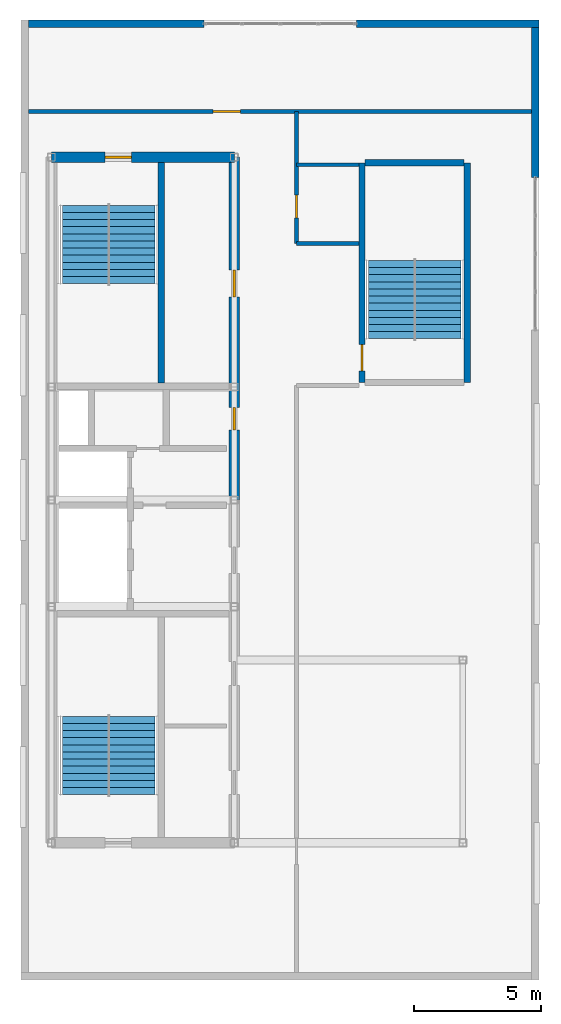
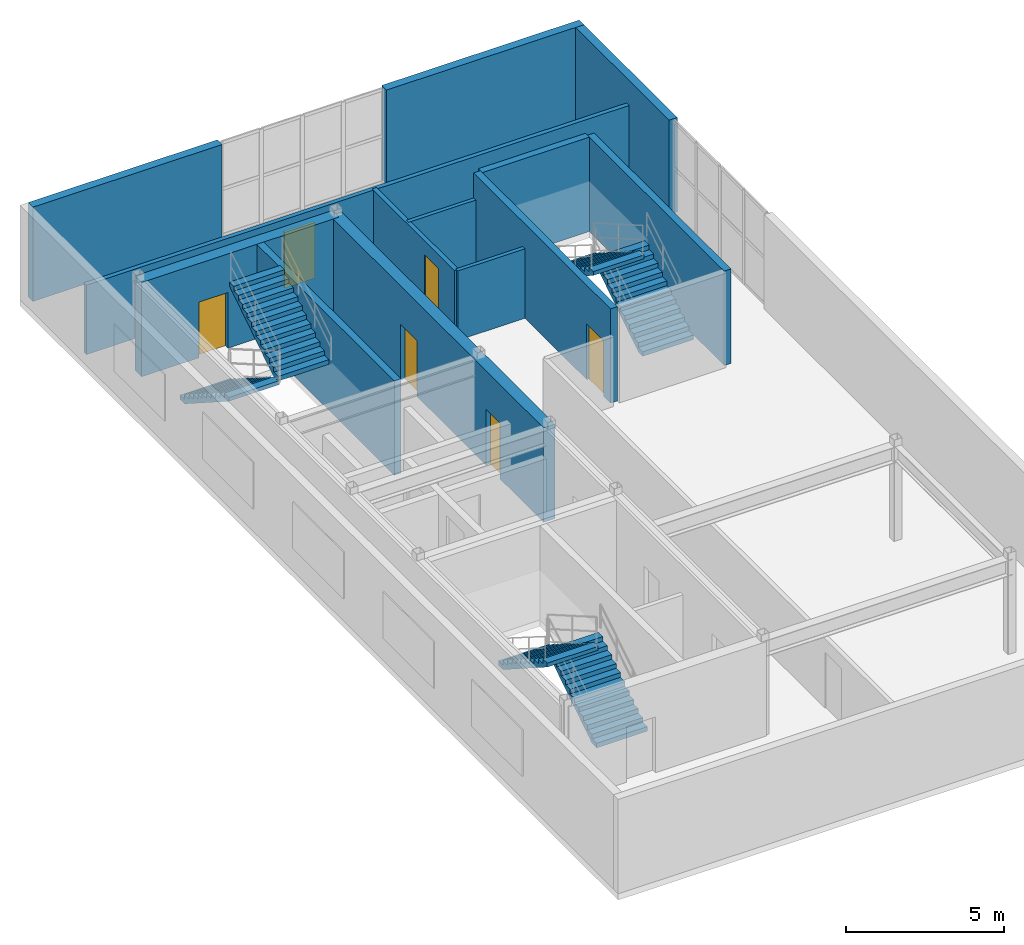
# One storey, part 5 of 6: 13 walls, 6 doors, 6 stair flights, 6 openings, 3 elements without a shape of their own.
"""IFC4 building model written with IfcOpenShell, lengths in metres."""

from ifc_helpers import new_model, entity, si_unit, converted_unit, direction, frame, origin_with_axes, origin_2d_with_axis, place, context, subcontext, project, spatial, polyline, rectangle, outline, extrude, material, layer, layer_set, type_object, element, fill, aggregate, save


model = new_model("IFC4")

# Units and contexts
model_context = context("Model", 3, precision=1e-05, world=origin_with_axes(), true_north=direction((0.0, 1.0)))
body_context = subcontext(model_context, "Body", "Model", "MODEL_VIEW")
ifc_project = project(units=[si_unit("LENGTHUNIT", "METRE"), si_unit("AREAUNIT", "SQUARE_METRE"), si_unit("VOLUMEUNIT", "CUBIC_METRE"), converted_unit("PLANEANGLEUNIT", "DEGREE", entity("IfcPlaneAngleMeasure", 0.017453292519943295), si_unit("PLANEANGLEUNIT", "RADIAN"), dimensions=[0, 0, 0, 0, 0, 0, 0]), si_unit("MASSUNIT", "GRAM", prefix="KILO"), si_unit("THERMODYNAMICTEMPERATUREUNIT", "KELVIN")], contexts=[model_context])

# Site, building, storey
site_placement = place(None, origin_with_axes())
site = spatial("IfcSite", under=ifc_project, at=site_placement, CompositionType="ELEMENT")
building_placement = place(site_placement, origin_with_axes())
building = spatial("IfcBuilding", under=site, at=building_placement, Name="Varnlund Millrace Tower", CompositionType="ELEMENT")
storey_placement = place(building_placement, frame((0.0, 0.0, 320.4), z_axis=(0.0, 0.0, 1.0), x_axis=(1.0, 0.0, 0.0)))
storey = spatial("IfcBuildingStorey", under=building, at=storey_placement, Name="L79", CompositionType="ELEMENT", Elevation=320.4)

# Wall, opening, door
ifc_material_1 = material(Name="Concrete C60/75", Category="concrete")
ifc_layer_1 = layer(ifc_material_1, 0.42, Name="Concrete C60/75")
ifc_layer_set_1 = layer_set([ifc_layer_1], Name="Concrete C60/75")
wall_type_1 = type_object("IfcWallType", Name="Type-CoreWall-Shear-420-C60", PredefinedType="SHEAR", material=ifc_layer_set_1)
wall_1_placement = place(storey_placement, frame((11.4, 37.8, 0.0), z_axis=(0.0, 0.0, 1.0), x_axis=(1.0, 0.0, 0.0)))
wall_1 = element("IfcWall", 1, at=wall_1_placement, inside=storey, type_object=wall_type_1, Name="Type-CoreWall-Shear-420-C60", PredefinedType="SHEAR", context=body_context, shape_type="SweptSolid", body=[
    extrude(outline(polyline([(0.0, -0.21), (7.2, -0.21), (7.2, 0.21), (0.0, 0.21), (0.0, -0.21)])), origin_with_axes(), (0.0, 0.0, 1.0), 3.64),
])
opening_1_placement = place(wall_1_placement, frame((2.625, 0.0, 0.0), z_axis=(0.0, 0.0, 1.0), x_axis=(1.0, 0.0, 0.0)))
opening_1 = element("IfcOpeningElement", 2, at=opening_1_placement, cuts=wall_1, Name="Opening L79:DR-STA2", PredefinedType="OPENING", context=body_context, shape_type="SweptSolid", body=[
    extrude(rectangle(XDim=1.05, YDim=0.44, at=origin_2d_with_axis()), origin_with_axes(), (0.0, 0.0, 1.0), 2.15),
])
ifc_material_2 = material(Name="Fire-rated hollow steel door", Category="steel")
door_type_1 = type_object("IfcDoorType", Name="Type-FireDoor-Stair-1050X2150", OperationType="NOTDEFINED", PredefinedType="DOOR", material=ifc_material_2)
door_1_placement = place(wall_1_placement, frame((2.625, 0.0, 0.0), z_axis=(0.0, 0.0, 1.0), x_axis=(1.0, 0.0, 0.0)))
door_1 = element("IfcDoor", 3, at=door_1_placement, inside=storey, type_object=door_type_1, Name="Type-FireDoor-Stair-1050X2150", OperationType="SINGLE_SWING_RIGHT", OverallHeight=2.15, OverallWidth=1.05, PredefinedType="DOOR", context=body_context, shape_type="SweptSolid", body=[
    extrude(rectangle(XDim=1.05, YDim=0.09, at=origin_2d_with_axis()), origin_with_axes(), (0.0, 0.0, 1.0), 2.15),
])
fill(opening_1, door_1)

# Wall, openings, doors
wall_2_placement = place(storey_placement, frame((18.6, 24.3, 0.0), z_axis=(0.0, 0.0, 1.0), x_axis=(0.0, 1.0, 0.0)))
wall_2 = element("IfcWall", 4, at=wall_2_placement, inside=storey, type_object=wall_type_1, Name="Type-CoreWall-Shear-420-C60", PredefinedType="SHEAR", context=body_context, shape_type="SweptSolid", body=[
    extrude(outline(polyline([(0.0, -0.21), (13.5, -0.21), (13.5, 0.21), (0.0, 0.21), (0.0, -0.21)])), origin_with_axes(), (0.0, 0.0, 1.0), 3.64),
])
opening_2_placement = place(wall_2_placement, frame((3.2, 0.0, 0.0), z_axis=(0.0, 0.0, 1.0), x_axis=(1.0, 0.0, 0.0)))
opening_2 = element("IfcOpeningElement", 5, at=opening_2_placement, cuts=wall_2, Name="Opening L79:DR-ROB", PredefinedType="OPENING", context=body_context, shape_type="SweptSolid", body=[
    extrude(rectangle(XDim=0.9, YDim=0.44, at=origin_2d_with_axis()), origin_with_axes(), (0.0, 0.0, 1.0), 2.15),
])
opening_3_placement = place(wall_2_placement, frame((8.525, 0.0, 0.0), z_axis=(0.0, 0.0, 1.0), x_axis=(1.0, 0.0, 0.0)))
opening_3 = element("IfcOpeningElement", 6, at=opening_3_placement, cuts=wall_2, Name="Opening L79:DR-RECL-M", PredefinedType="OPENING", context=body_context, shape_type="SweptSolid", body=[
    extrude(rectangle(XDim=1.05, YDim=0.44, at=origin_2d_with_axis()), origin_with_axes(), (0.0, 0.0, 1.0), 2.15),
])
ifc_material_3 = material(Name="Fire-rated hollow steel service closet door", Category="steel")
door_type_2 = type_object("IfcDoorType", Name="Type-FireDoor-Closet-900X2150", OperationType="NOTDEFINED", PredefinedType="DOOR", material=ifc_material_3)
door_2_placement = place(wall_2_placement, frame((3.2, 0.0, 0.0), z_axis=(0.0, 0.0, 1.0), x_axis=(1.0, 0.0, 0.0)))
door_2 = element("IfcDoor", 7, at=door_2_placement, inside=storey, type_object=door_type_2, Name="Type-FireDoor-Closet-900X2150", OperationType="SINGLE_SWING_RIGHT", OverallHeight=2.15, OverallWidth=0.9, PredefinedType="DOOR", context=body_context, shape_type="SweptSolid", body=[
    extrude(rectangle(XDim=0.9, YDim=0.09, at=origin_2d_with_axis()), origin_with_axes(), (0.0, 0.0, 1.0), 2.15),
])
fill(opening_2, door_2)
ifc_material_4 = material(Name="Smoke-barrier hollow steel fire door", Category="steel")
door_type_3 = type_object("IfcDoorType", Name="Type-FireDoor-Lobby-1050X2150", OperationType="NOTDEFINED", PredefinedType="DOOR", material=ifc_material_4)
door_3_placement = place(wall_2_placement, frame((8.525, 0.0, 0.0), z_axis=(0.0, 0.0, 1.0), x_axis=(1.0, 0.0, 0.0)))
door_3 = element("IfcDoor", 8, at=door_3_placement, inside=storey, type_object=door_type_3, Name="Type-FireDoor-Lobby-1050X2150", OperationType="SINGLE_SWING_LEFT", OverallHeight=2.15, OverallWidth=1.05, PredefinedType="DOOR", context=body_context, shape_type="SweptSolid", body=[
    extrude(rectangle(XDim=1.05, YDim=0.09, at=origin_2d_with_axis()), origin_with_axes(), (0.0, 0.0, 1.0), 2.15),
])
fill(opening_3, door_3)

# Walls
ifc_material_5 = material(Name="Precast concrete C50/60", Category="concrete")
ifc_layer_2 = layer(ifc_material_5, 0.3, Name="Precast concrete C50/60")
ifc_layer_set_2 = layer_set([ifc_layer_2], Name="Precast concrete C50/60")
wall_type_2 = type_object("IfcWallType", Name="Type-ExtWall-Precast-Crown-300", PredefinedType="SOLIDWALL", material=ifc_layer_set_2)
wall_3_placement = place(storey_placement, frame((10.5, 43.05, 0.0), z_axis=(0.0, 0.0, 1.0), x_axis=(1.0, 0.0, 0.0)))
element("IfcWall", 9, at=wall_3_placement, inside=storey, type_object=wall_type_2, Name="Type-ExtWall-Precast-Crown-300", PredefinedType="SOLIDWALL", context=body_context, shape_type="SweptSolid", body=[
    extrude(outline(polyline([(0.0, -0.15), (6.9, -0.15), (6.9, 0.15), (0.0, 0.15), (0.0, -0.15)])), origin_with_axes(), (0.0, 0.0, 1.0), 3.64),
])
wall_4_placement = place(storey_placement, frame((23.4, 43.05, 0.0), z_axis=(0.0, 0.0, 1.0), x_axis=(1.0, 0.0, 0.0)))
element("IfcWall", 10, at=wall_4_placement, inside=storey, type_object=wall_type_2, Name="Type-ExtWall-Precast-Crown-300", PredefinedType="SOLIDWALL", context=body_context, shape_type="SweptSolid", body=[
    extrude(outline(polyline([(0.0, -0.15), (7.2, -0.15), (7.2, 0.15), (0.0, 0.15), (0.0, -0.15)])), origin_with_axes(), (0.0, 0.0, 1.0), 3.64),
])
wall_5_placement = place(storey_placement, frame((30.45, 42.9, 0.0), z_axis=(0.0, 0.0, 1.0), x_axis=(0.0, -1.0, 0.0)))
element("IfcWall", 11, at=wall_5_placement, inside=storey, type_object=wall_type_2, Name="Type-ExtWall-Precast-Crown-300", PredefinedType="SOLIDWALL", context=body_context, shape_type="SweptSolid", body=[
    extrude(outline(polyline([(0.0, -0.15), (5.9, -0.15), (5.9, 0.15), (0.0, 0.15), (0.0, -0.15)])), origin_with_axes(), (0.0, 0.0, 1.0), 3.64),
])

# Wall, opening, door
ifc_material_6 = material(Name="Fire-rated gypsum board on cold-formed steel framing", Category="steel")
ifc_layer_3 = layer(ifc_material_6, 0.16, Name="Fire-rated gypsum board on cold-formed steel framing")
ifc_layer_set_3 = layer_set([ifc_layer_3], Name="Fire-rated gypsum board on cold-formed steel framing")
wall_type_3 = type_object("IfcWallType", Name="Type-Partition-Corridor-160", PredefinedType="PARTITIONING", material=ifc_layer_set_3)
wall_6_placement = place(storey_placement, frame((21.05, 34.4, 0.0), z_axis=(0.0, 0.0, 1.0), x_axis=(0.0, 1.0, 0.0)))
wall_6 = element("IfcWall", 12, at=wall_6_placement, inside=storey, type_object=wall_type_3, Name="Type-Partition-Corridor-160", PredefinedType="PARTITIONING", context=body_context, shape_type="SweptSolid", body=[
    extrude(outline(polyline([(0.0, -0.08), (5.2, -0.08), (5.2, 0.08), (0.0, 0.08), (0.0, -0.08)])), origin_with_axes(), (0.0, 0.0, 1.0), 2.68),
])
opening_4_placement = place(wall_6_placement, frame((1.45, 0.0, 0.0), z_axis=(0.0, 0.0, 1.0), x_axis=(1.0, 0.0, 0.0)))
opening_4 = element("IfcOpeningElement", 13, at=opening_4_placement, cuts=wall_6, Name="Opening L79:DR-CRN-WC", PredefinedType="OPENING", context=body_context, shape_type="SweptSolid", body=[
    extrude(rectangle(XDim=0.9, YDim=0.18, at=origin_2d_with_axis()), origin_with_axes(), (0.0, 0.0, 1.0), 2.15),
])
ifc_material_7 = material(Name="Painted steel riser and closet door", Category="steel")
door_type_4 = type_object("IfcDoorType", Name="Type-IntDoor-Closet-900X2150", OperationType="NOTDEFINED", PredefinedType="DOOR", material=ifc_material_7)
door_4_placement = place(wall_6_placement, frame((1.45, 0.0, 0.0), z_axis=(0.0, 0.0, 1.0), x_axis=(1.0, 0.0, 0.0)))
door_4 = element("IfcDoor", 14, at=door_4_placement, inside=storey, type_object=door_type_4, Name="Type-IntDoor-Closet-900X2150", OperationType="SINGLE_SWING_LEFT", OverallHeight=2.15, OverallWidth=0.9, PredefinedType="DOOR", context=body_context, shape_type="SweptSolid", body=[
    extrude(rectangle(XDim=0.9, YDim=0.09, at=origin_2d_with_axis()), origin_with_axes(), (0.0, 0.0, 1.0), 2.15),
])
fill(opening_4, door_4)

wall_7_placement = place(storey_placement, frame((10.495, 39.6, 0.0), z_axis=(0.0, 0.0, 1.0), x_axis=(1.0, 0.0, 0.0)))
wall_7 = element("IfcWall", 15, at=wall_7_placement, inside=storey, type_object=wall_type_3, Name="Type-Partition-Corridor-160", PredefinedType="PARTITIONING", context=body_context, shape_type="SweptSolid", body=[
    extrude(outline(polyline([(0.0, -0.08), (19.81, -0.08), (19.81, 0.08), (0.0, 0.08), (0.0, -0.08)])), origin_with_axes(), (0.0, 0.0, 1.0), 2.68),
])
opening_5_placement = place(wall_7_placement, frame((7.805, 0.0, 0.0), z_axis=(0.0, 0.0, 1.0), x_axis=(1.0, 0.0, 0.0)))
opening_5 = element("IfcOpeningElement", 16, at=opening_5_placement, cuts=wall_7, Name="Opening L79:DR-CRN-SWG", PredefinedType="OPENING", context=body_context, shape_type="SweptSolid", body=[
    extrude(rectangle(XDim=1.1, YDim=0.18, at=origin_2d_with_axis()), origin_with_axes(), (0.0, 0.0, 1.0), 2.15),
])
ifc_material_8 = material(Name="Fire-rated mechanical room steel door", Category="steel")
door_type_5 = type_object("IfcDoorType", Name="Type-FireDoor-Plant-1100X2150", OperationType="NOTDEFINED", PredefinedType="DOOR", material=ifc_material_8)
door_5_placement = place(wall_7_placement, frame((7.805, 0.0, 0.0), z_axis=(0.0, 0.0, 1.0), x_axis=(1.0, 0.0, 0.0)))
door_5 = element("IfcDoor", 17, at=door_5_placement, inside=storey, type_object=door_type_5, Name="Type-FireDoor-Plant-1100X2150", OperationType="SINGLE_SWING_LEFT", OverallHeight=2.15, OverallWidth=1.1, PredefinedType="DOOR", context=body_context, shape_type="SweptSolid", body=[
    extrude(rectangle(XDim=1.1, YDim=0.09, at=origin_2d_with_axis()), origin_with_axes(), (0.0, 0.0, 1.0), 2.15),
])
fill(opening_5, door_5)

# Walls
ifc_material_9 = material(Name="Moisture-resistant gypsum restroom partition", Category="gypsum")
ifc_layer_4 = layer(ifc_material_9, 0.14, Name="Moisture-resistant gypsum restroom partition")
ifc_layer_set_4 = layer_set([ifc_layer_4], Name="Moisture-resistant gypsum restroom partition")
wall_type_4 = type_object("IfcWallType", Name="Type-Partition-Wet-140", PredefinedType="PARTITIONING", material=ifc_layer_set_4)
for number, where, z_axis, x_axis, name in (
    (18, (21.05, 34.4, 0.0), (0.0, 0.0, 1.0), (1.0, 0.0, 0.0), "Type-Partition-Wet-140"),
    (19, (21.05, 37.5, 0.0), (0.0, 0.0, 1.0), (1.0, 0.0, 0.0), "Type-Partition-Wet-140"),
):
    element("IfcWall", number, at=place(storey_placement, frame(where, z_axis=z_axis, x_axis=x_axis)), inside=storey, type_object=wall_type_4, Name=name, PredefinedType="PARTITIONING", context=body_context, shape_type="SweptSolid", body=[
        extrude(outline(polyline([(0.0, -0.07), (2.45, -0.07), (2.45, 0.07), (0.0, 0.07), (0.0, -0.07)])), origin_with_axes(), (0.0, 0.0, 1.0), 2.68),
    ])
ifc_layer_5 = layer(ifc_material_1, 0.25, Name="Concrete C60/75")
ifc_layer_set_5 = layer_set([ifc_layer_5], Name="Concrete C60/75")
wall_type_5 = type_object("IfcWallType", Name="Type-StairWall-Shear-250", PredefinedType="SHEAR", material=ifc_layer_set_5)
wall_8_placement = place(storey_placement, frame((15.725, 28.9, 0.0), z_axis=(0.0, 0.0, 1.0), x_axis=(0.0, 1.0, 0.0)))
element("IfcWall", 20, at=wall_8_placement, inside=storey, type_object=wall_type_5, Name="Type-StairWall-Shear-250", PredefinedType="SHEAR", context=body_context, shape_type="SweptSolid", body=[
    extrude(outline(polyline([(0.0, -0.125), (8.69, -0.125), (8.69, 0.125), (0.0, 0.125), (0.0, -0.125)])), origin_with_axes(), (0.0, 0.0, 1.0), 3.64),
])

# Wall, opening, door
wall_9_placement = place(storey_placement, frame((23.625, 28.925, 0.0), z_axis=(0.0, 0.0, 1.0), x_axis=(0.0, 1.0, 0.0)))
wall_9 = element("IfcWall", 21, at=wall_9_placement, inside=storey, type_object=wall_type_5, Name="Type-StairWall-Shear-250", PredefinedType="SHEAR", context=body_context, shape_type="SweptSolid", body=[
    extrude(outline(polyline([(0.0, -0.125), (8.65, -0.125), (8.65, 0.125), (0.0, 0.125), (0.0, -0.125)])), origin_with_axes(), (0.0, 0.0, 1.0), 3.64),
])
opening_6_placement = place(wall_9_placement, frame((0.975, 0.0, 0.0), z_axis=(0.0, 0.0, 1.0), x_axis=(1.0, 0.0, 0.0)))
opening_6 = element("IfcOpeningElement", 22, at=opening_6_placement, cuts=wall_9, Name="Opening L79:DR-STA3", PredefinedType="OPENING", context=body_context, shape_type="SweptSolid", body=[
    extrude(rectangle(XDim=1.05, YDim=0.27, at=origin_2d_with_axis()), origin_with_axes(), (0.0, 0.0, 1.0), 2.15),
])
door_6_placement = place(wall_9_placement, frame((0.975, 0.0, 0.0), z_axis=(0.0, 0.0, 1.0), x_axis=(1.0, 0.0, 0.0)))
door_6 = element("IfcDoor", 23, at=door_6_placement, inside=storey, type_object=door_type_1, Name="Type-FireDoor-Stair-1050X2150", OperationType="SINGLE_SWING_LEFT", OverallHeight=2.15, OverallWidth=1.05, PredefinedType="DOOR", context=body_context, shape_type="SweptSolid", body=[
    extrude(rectangle(XDim=1.05, YDim=0.09, at=origin_2d_with_axis()), origin_with_axes(), (0.0, 0.0, 1.0), 2.15),
])
fill(opening_6, door_6)

# Walls
wall_10_placement = place(storey_placement, frame((27.775, 28.925, 0.0), z_axis=(0.0, 0.0, 1.0), x_axis=(0.0, 1.0, 0.0)))
element("IfcWall", 24, at=wall_10_placement, inside=storey, type_object=wall_type_5, Name="Type-StairWall-Shear-250", PredefinedType="SHEAR", context=body_context, shape_type="SweptSolid", body=[
    extrude(outline(polyline([(0.0, -0.125), (8.65, -0.125), (8.65, 0.125), (0.0, 0.125), (0.0, -0.125)])), origin_with_axes(), (0.0, 0.0, 1.0), 3.64),
])
wall_11_placement = place(storey_placement, frame((23.75, 37.575, 0.0), z_axis=(0.0, 0.0, 1.0), x_axis=(1.0, 0.0, 0.0)))
element("IfcWall", 25, at=wall_11_placement, inside=storey, type_object=wall_type_5, Name="Type-StairWall-Shear-250", PredefinedType="SHEAR", context=body_context, shape_type="SweptSolid", body=[
    extrude(outline(polyline([(0.0, -0.125), (3.9, -0.125), (3.9, 0.125), (0.0, 0.125), (0.0, -0.125)])), origin_with_axes(), (0.0, 0.0, 1.0), 3.64),
])

# Stair, stair flights
ifc_material_10 = material(Name="Concrete C50/60", Category="concrete")
stair_type = type_object("IfcStairType", Name="Type-Stair-Dogleg-185-390", PredefinedType="HALF_TURN_STAIR", material=ifc_material_10)
stair_1_placement = place(storey_placement, origin_with_axes())
stair_1 = element("IfcStair", 26, at=stair_1_placement, inside=storey, type_object=stair_type, Name="Type-Stair-Dogleg-185-390", PredefinedType="HALF_TURN_STAIR")
stair_flight_type = type_object("IfcStairFlightType", Name="Type-Dogleg-Run-185-390", PredefinedType="STRAIGHT", material=ifc_material_5)
stair_flight_1_placement = place(storey_placement, frame((13.625, 12.7, 0.0), z_axis=(1.0, 0.0, 0.0), x_axis=(0.0, 1.0, 0.0)))
stair_flight_1 = element("IfcStairFlight", 27, at=stair_flight_1_placement, type_object=stair_flight_type, Name="ST-A1 flight 1", NumberOfRisers=11, NumberOfTreads=11, PredefinedType="STRAIGHT", RiserHeight=0.177273, TreadLength=0.28, context=body_context, shape_type="SweptSolid", body=[
    extrude(outline(polyline([(0.0, 0.0), (0.0, 0.177273), (0.28, 0.177273), (0.28, 0.354545), (0.56, 0.354545), (0.56, 0.531818), (0.84, 0.531818), (0.84, 0.709091), (1.12, 0.709091), (1.12, 0.886364), (1.4, 0.886364), (1.4, 1.063636), (1.68, 1.063636), (1.68, 1.240909), (1.96, 1.240909), (1.96, 1.418182), (2.24, 1.418182), (2.24, 1.595454), (2.52, 1.595454), (2.52, 1.772727), (2.8, 1.772727), (2.8, 1.95), (3.08, 1.95), (3.08, 1.8), (0.28, 0.0), (0.0, 0.0)])), origin_with_axes(), (0.0, 0.0, 1.0), 1.85),
])
stair_flight_2_placement = place(storey_placement, frame((13.675, 15.78, 1.95), z_axis=(-1.0, 0.0, 0.0), x_axis=(0.0, -1.0, 0.0)))
stair_flight_2 = element("IfcStairFlight", 28, at=stair_flight_2_placement, type_object=stair_flight_type, Name="ST-A1 flight 2", NumberOfRisers=11, NumberOfTreads=11, PredefinedType="STRAIGHT", RiserHeight=0.177273, TreadLength=0.28, context=body_context, shape_type="SweptSolid", body=[
    extrude(outline(polyline([(0.0, 0.0), (0.0, 0.177273), (0.28, 0.177273), (0.28, 0.354545), (0.56, 0.354545), (0.56, 0.531818), (0.84, 0.531818), (0.84, 0.709091), (1.12, 0.709091), (1.12, 0.886364), (1.4, 0.886364), (1.4, 1.063636), (1.68, 1.063636), (1.68, 1.240909), (1.96, 1.240909), (1.96, 1.418182), (2.24, 1.418182), (2.24, 1.595454), (2.52, 1.595454), (2.52, 1.772727), (2.8, 1.772727), (2.8, 1.95), (3.08, 1.95), (3.08, 1.8), (0.28, 0.0), (0.0, 0.0)])), origin_with_axes(), (0.0, 0.0, 1.0), 1.85),
])
aggregate(stair_1, [stair_flight_1, stair_flight_2])

stair_2_placement = place(storey_placement, origin_with_axes())
stair_2 = element("IfcStair", 29, at=stair_2_placement, inside=storey, type_object=stair_type, Name="Type-Stair-Dogleg-185-390", PredefinedType="HALF_TURN_STAIR")
stair_flight_3_placement = place(storey_placement, frame((13.675, 35.9, 0.0), z_axis=(-1.0, 0.0, 0.0), x_axis=(0.0, -1.0, 0.0)))
stair_flight_3 = element("IfcStairFlight", 30, at=stair_flight_3_placement, type_object=stair_flight_type, Name="ST-A2 flight 1", NumberOfRisers=11, NumberOfTreads=11, PredefinedType="STRAIGHT", RiserHeight=0.177273, TreadLength=0.28, context=body_context, shape_type="SweptSolid", body=[
    extrude(outline(polyline([(0.0, 0.0), (0.0, 0.177273), (0.28, 0.177273), (0.28, 0.354545), (0.56, 0.354545), (0.56, 0.531818), (0.84, 0.531818), (0.84, 0.709091), (1.12, 0.709091), (1.12, 0.886364), (1.4, 0.886364), (1.4, 1.063636), (1.68, 1.063636), (1.68, 1.240909), (1.96, 1.240909), (1.96, 1.418182), (2.24, 1.418182), (2.24, 1.595454), (2.52, 1.595454), (2.52, 1.772727), (2.8, 1.772727), (2.8, 1.95), (3.08, 1.95), (3.08, 1.8), (0.28, 0.0), (0.0, 0.0)])), origin_with_axes(), (0.0, 0.0, 1.0), 1.85),
])
stair_flight_4_placement = place(storey_placement, frame((13.625, 32.82, 1.95), z_axis=(1.0, 0.0, 0.0), x_axis=(0.0, 1.0, 0.0)))
stair_flight_4 = element("IfcStairFlight", 31, at=stair_flight_4_placement, type_object=stair_flight_type, Name="ST-A2 flight 2", NumberOfRisers=11, NumberOfTreads=11, PredefinedType="STRAIGHT", RiserHeight=0.177273, TreadLength=0.28, context=body_context, shape_type="SweptSolid", body=[
    extrude(outline(polyline([(0.0, 0.0), (0.0, 0.177273), (0.28, 0.177273), (0.28, 0.354545), (0.56, 0.354545), (0.56, 0.531818), (0.84, 0.531818), (0.84, 0.709091), (1.12, 0.709091), (1.12, 0.886364), (1.4, 0.886364), (1.4, 1.063636), (1.68, 1.063636), (1.68, 1.240909), (1.96, 1.240909), (1.96, 1.418182), (2.24, 1.418182), (2.24, 1.595454), (2.52, 1.595454), (2.52, 1.772727), (2.8, 1.772727), (2.8, 1.95), (3.08, 1.95), (3.08, 1.8), (0.28, 0.0), (0.0, 0.0)])), origin_with_axes(), (0.0, 0.0, 1.0), 1.85),
])
aggregate(stair_2, [stair_flight_3, stair_flight_4])

stair_3_placement = place(storey_placement, origin_with_axes())
stair_3 = element("IfcStair", 32, at=stair_3_placement, inside=storey, type_object=stair_type, Name="Type-Stair-Dogleg-185-390", PredefinedType="HALF_TURN_STAIR")
stair_flight_5_placement = place(storey_placement, frame((25.675, 30.65, 0.0), z_axis=(1.0, 0.0, 0.0), x_axis=(0.0, 1.0, 0.0)))
stair_flight_5 = element("IfcStairFlight", 33, at=stair_flight_5_placement, type_object=stair_flight_type, Name="ST-A3 flight 1", NumberOfRisers=11, NumberOfTreads=11, PredefinedType="STRAIGHT", RiserHeight=0.177273, TreadLength=0.28, context=body_context, shape_type="SweptSolid", body=[
    extrude(outline(polyline([(0.0, 0.0), (0.0, 0.177273), (0.28, 0.177273), (0.28, 0.354545), (0.56, 0.354545), (0.56, 0.531818), (0.84, 0.531818), (0.84, 0.709091), (1.12, 0.709091), (1.12, 0.886364), (1.4, 0.886364), (1.4, 1.063636), (1.68, 1.063636), (1.68, 1.240909), (1.96, 1.240909), (1.96, 1.418182), (2.24, 1.418182), (2.24, 1.595454), (2.52, 1.595454), (2.52, 1.772727), (2.8, 1.772727), (2.8, 1.95), (3.08, 1.95), (3.08, 1.8), (0.28, 0.0), (0.0, 0.0)])), origin_with_axes(), (0.0, 0.0, 1.0), 1.85),
])
stair_flight_6_placement = place(storey_placement, frame((25.725, 33.73, 1.95), z_axis=(-1.0, 0.0, 0.0), x_axis=(0.0, -1.0, 0.0)))
stair_flight_6 = element("IfcStairFlight", 34, at=stair_flight_6_placement, type_object=stair_flight_type, Name="ST-A3 flight 2", NumberOfRisers=11, NumberOfTreads=11, PredefinedType="STRAIGHT", RiserHeight=0.177273, TreadLength=0.28, context=body_context, shape_type="SweptSolid", body=[
    extrude(outline(polyline([(0.0, 0.0), (0.0, 0.177273), (0.28, 0.177273), (0.28, 0.354545), (0.56, 0.354545), (0.56, 0.531818), (0.84, 0.531818), (0.84, 0.709091), (1.12, 0.709091), (1.12, 0.886364), (1.4, 0.886364), (1.4, 1.063636), (1.68, 1.063636), (1.68, 1.240909), (1.96, 1.240909), (1.96, 1.418182), (2.24, 1.418182), (2.24, 1.595454), (2.52, 1.595454), (2.52, 1.772727), (2.8, 1.772727), (2.8, 1.95), (3.08, 1.95), (3.08, 1.8), (0.28, 0.0), (0.0, 0.0)])), origin_with_axes(), (0.0, 0.0, 1.0), 1.85),
])
aggregate(stair_3, [stair_flight_5, stair_flight_6])

save(model, "model.ifc")
